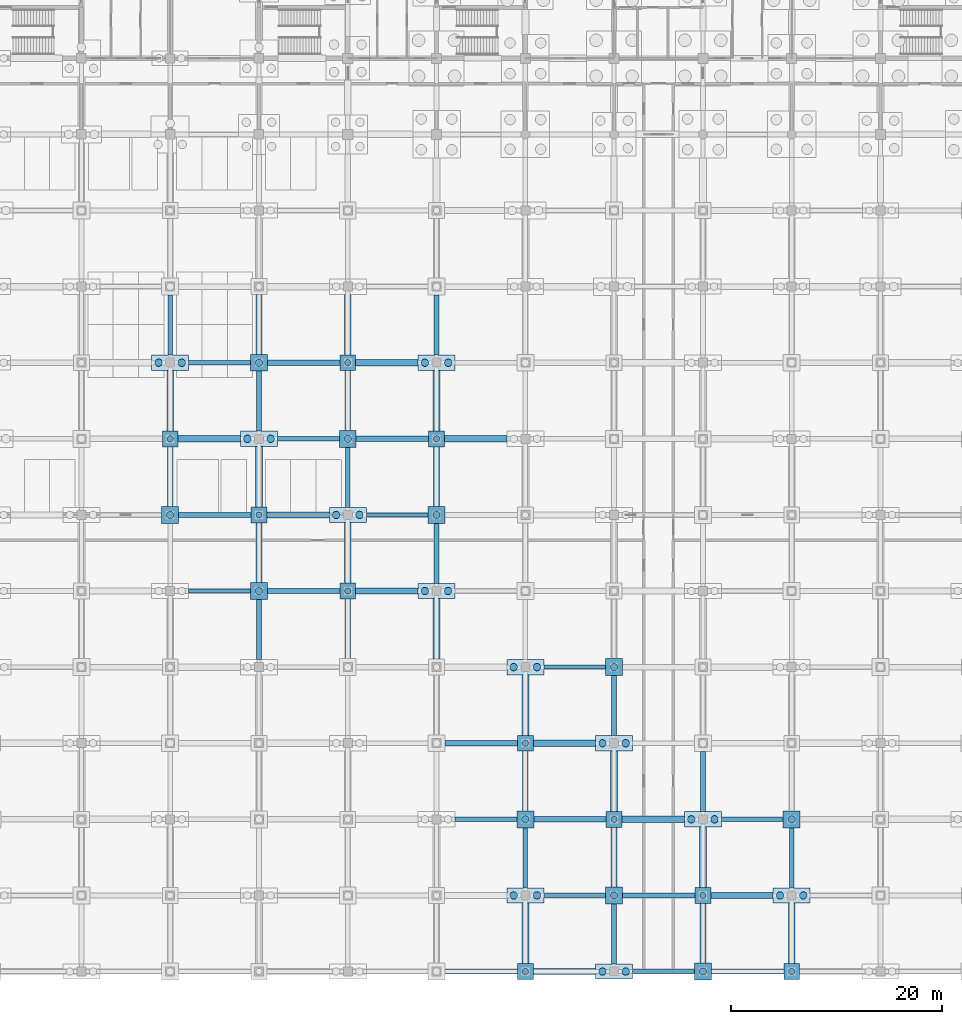
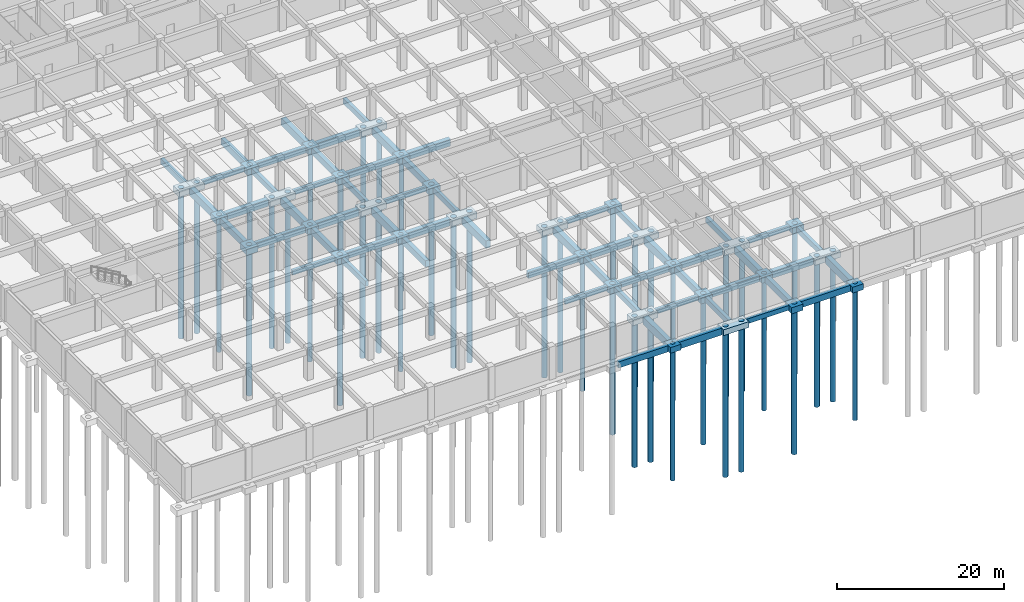
# One storey, part 3 of 85: 89 footings, 42 piles.
"""IFC4 building model written with IfcOpenShell, lengths in metres."""

from ifc_helpers import new_model, si_unit, direction, frame, origin, origin_2d, place, context, subcontext, project, spatial, rectangle, circle, extrude, material, material_profile, profile_set, type_object, element, save


model = new_model("IFC4")

# Units and contexts
model_context = context("Model", 3, precision=1e-05, world=origin(), true_north=direction((0.0, 1.0)))
body_context = subcontext(model_context, "Body", "Model", "MODEL_VIEW")
ifc_project = project(units=[si_unit("LENGTHUNIT", "METRE"), si_unit("AREAUNIT", "SQUARE_METRE"), si_unit("VOLUMEUNIT", "CUBIC_METRE"), si_unit("PLANEANGLEUNIT", "RADIAN"), si_unit("MASSUNIT", "GRAM", prefix="KILO")], contexts=[model_context])

# Site, building, storey
site_placement = place(None, origin())
site = spatial("IfcSite", under=ifc_project, at=site_placement, CompositionType="ELEMENT")
building_placement = place(site_placement, origin())
building = spatial("IfcBuilding", under=site, at=building_placement, Name="Chengyuan Square Courthouse", CompositionType="ELEMENT")
storey_placement = place(building_placement, frame((0.0, 0.0, -10.199951171875)))
storey = spatial("IfcBuildingStorey", under=building, at=storey_placement, Name="B02", CompositionType="ELEMENT", Elevation=-10.199951171875)

# Footings
ifc_material = material(Name="Concrete C40", Category="concrete")
ifc_material_profile_1 = material_profile(ifc_material, rectangle(XDim=0.39990234375, YDim=0.699951171875, at=origin_2d()), Name="GB-400x700")
ifc_profile_set_1 = profile_set([ifc_material_profile_1], Name="Concrete C40")
footing_type_1 = type_object("IfcFootingType", Name="GB-01", PredefinedType="FOOTING_BEAM", material=ifc_profile_set_1)
footing_1_placement = place(storey_placement, frame((77.35009765625, 0.0, -1.150146484375), z_axis=(1.0, 0.0, 0.0), x_axis=(0.0, 1.0, 0.0)))
element("IfcFooting", 1, at=footing_1_placement, inside=storey, type_object=footing_type_1, Name="Ground Tie Beam GB-B02-0010", PredefinedType="FOOTING_BEAM", context=body_context, shape_type="SweptSolid", body=[
    extrude(rectangle(XDim=0.39990234375, YDim=0.699951171875, at=origin_2d()), origin(), (0.0, 0.0, 1.0), 5.849853515625),
])
footing_2_placement = place(storey_placement, frame((68.949951171875, 7.199951171875, -1.150146484375), z_axis=(1.0, 0.0, 0.0), x_axis=(0.0, 1.0, 0.0)))
element("IfcFooting", 2, at=footing_2_placement, inside=storey, type_object=footing_type_1, Name="Ground Tie Beam GB-B02-0029", PredefinedType="FOOTING_BEAM", context=body_context, shape_type="SweptSolid", body=[
    extrude(rectangle(XDim=0.39990234375, YDim=0.699951171875, at=origin_2d()), origin(), (0.0, 0.0, 1.0), 5.85009765625),
])
footing_3_placement = place(storey_placement, frame((60.550048828125, 14.39990234375, -1.150146484375), z_axis=(1.0, 0.0, 0.0), x_axis=(0.0, 1.0, 0.0)))
element("IfcFooting", 3, at=footing_3_placement, inside=storey, type_object=footing_type_1, Name="Ground Tie Beam GB-B02-0048", PredefinedType="FOOTING_BEAM", context=body_context, shape_type="SweptSolid", body=[
    extrude(rectangle(XDim=0.39990234375, YDim=0.699951171875, at=origin_2d()), origin(), (0.0, 0.0, 1.0), 5.849853515625),
])
for number, where, z_axis, x_axis, name in (
    (4, (85.75, 14.39990234375, -1.150146484375), (1.0, 0.0, 0.0), (0.0, 1.0, 0.0), "Ground Tie Beam GB-B02-0051"),
    (5, (68.949951171875, 28.800048828125, -1.150146484375), (1.0, 0.0, 0.0), (0.0, 1.0, 0.0), "Ground Tie Beam GB-B02-0089"),
):
    element("IfcFooting", number, at=place(storey_placement, frame(where, z_axis=z_axis, x_axis=x_axis)), inside=storey, type_object=footing_type_1, Name=name, PredefinedType="FOOTING_BEAM", context=body_context, shape_type="SweptSolid", body=[
        extrude(rectangle(XDim=0.39990234375, YDim=0.699951171875, at=origin_2d()), origin(), (0.0, 0.0, 1.0), 5.85009765625),
    ])
footing_4_placement = place(storey_placement, frame((35.35009765625, 36.0, -1.150146484375), z_axis=(1.0, 0.0, 0.0), x_axis=(0.0, 1.0, 0.0)))
element("IfcFooting", 6, at=footing_4_placement, inside=storey, type_object=footing_type_1, Name="Ground Tie Beam GB-B02-0105", PredefinedType="FOOTING_BEAM", context=body_context, shape_type="SweptSolid", body=[
    extrude(rectangle(XDim=0.39990234375, YDim=0.699951171875, at=origin_2d()), origin(), (0.0, 0.0, 1.0), 5.849853515625),
])
for number, where, z_axis, x_axis, name in (
    (7, (52.14990234375, 43.199951171875, -1.150146484375), (1.0, 0.0, 0.0), (0.0, 1.0, 0.0), "Ground Tie Beam GB-B02-0127"),
    (8, (43.75, 50.39990234375, -1.150146484375), (1.0, 0.0, 0.0), (0.0, 1.0, 0.0), "Ground Tie Beam GB-B02-0146"),
):
    element("IfcFooting", number, at=place(storey_placement, frame(where, z_axis=z_axis, x_axis=x_axis)), inside=storey, type_object=footing_type_1, Name=name, PredefinedType="FOOTING_BEAM", context=body_context, shape_type="SweptSolid", body=[
        extrude(rectangle(XDim=0.39990234375, YDim=0.699951171875, at=origin_2d()), origin(), (0.0, 0.0, 1.0), 5.85009765625),
    ])
footing_5_placement = place(storey_placement, frame((35.35009765625, 57.60009765625, -1.150146484375), z_axis=(1.0, 0.0, 0.0), x_axis=(0.0, 1.0, 0.0)))
element("IfcFooting", 9, at=footing_5_placement, inside=storey, type_object=footing_type_1, Name="Ground Tie Beam GB-B02-0165", PredefinedType="FOOTING_BEAM", context=body_context, shape_type="SweptSolid", body=[
    extrude(rectangle(XDim=0.39990234375, YDim=0.699951171875, at=origin_2d()), origin(), (0.0, 0.0, 1.0), 5.849853515625),
])
ifc_material_profile_2 = material_profile(ifc_material, rectangle(XDim=0.449951171875, YDim=0.800048828125, at=origin_2d()), Name="GB-450x800")
ifc_profile_set_2 = profile_set([ifc_material_profile_2], Name="Concrete C40")
footing_type_2 = type_object("IfcFootingType", Name="GB-02", PredefinedType="FOOTING_BEAM", material=ifc_profile_set_2)
for number, where, z_axis, x_axis, name in (
    (10, (33.60009765625, 58.324951171875, -1.199951171875), (0.0, 1.0, 0.0), (-1.0, 0.0, 0.0), "Ground Tie Beam GB-B02-0419"),
    (11, (42.0, 29.52490234375, -1.199951171875), (0.0, 1.0, 0.0), (-1.0, 0.0, 0.0), "Ground Tie Beam GB-B02-0431"),
    (12, (42.0, 51.125, -1.199951171875), (0.0, 1.0, 0.0), (-1.0, 0.0, 0.0), "Ground Tie Beam GB-B02-0434"),
    (13, (50.39990234375, 43.925048828125, -1.199951171875), (0.0, 1.0, 0.0), (-1.0, 0.0, 0.0), "Ground Tie Beam GB-B02-0449"),
):
    element("IfcFooting", number, at=place(storey_placement, frame(where, z_axis=z_axis, x_axis=x_axis)), inside=storey, type_object=footing_type_2, Name=name, PredefinedType="FOOTING_BEAM", context=body_context, shape_type="SweptSolid", body=[
        extrude(rectangle(XDim=0.449951171875, YDim=0.800048828125, at=origin_2d()), origin(), (0.0, 0.0, 1.0), 5.675048828125),
    ])
footing_6_placement = place(storey_placement, frame((58.800048828125, 36.72509765625, -1.199951171875), z_axis=(0.0, 1.0, 0.0), x_axis=(-1.0, 0.0, 0.0)))
element("IfcFooting", 14, at=footing_6_placement, inside=storey, type_object=footing_type_2, Name="Ground Tie Beam GB-B02-0464", PredefinedType="FOOTING_BEAM", context=body_context, shape_type="SweptSolid", body=[
    extrude(rectangle(XDim=0.449951171875, YDim=0.800048828125, at=origin_2d()), origin(), (0.0, 0.0, 1.0), 5.6748046875),
])
for number, where, z_axis, x_axis, name in (
    (15, (58.800048828125, 58.324951171875, -1.199951171875), (0.0, 1.0, 0.0), (-1.0, 0.0, 0.0), "Ground Tie Beam GB-B02-0467"),
    (16, (67.199951171875, 7.925048828125, -1.199951171875), (0.0, 1.0, 0.0), (-1.0, 0.0, 0.0), "Ground Tie Beam GB-B02-0476"),
):
    element("IfcFooting", number, at=place(storey_placement, frame(where, z_axis=z_axis, x_axis=x_axis)), inside=storey, type_object=footing_type_2, Name=name, PredefinedType="FOOTING_BEAM", context=body_context, shape_type="SweptSolid", body=[
        extrude(rectangle(XDim=0.449951171875, YDim=0.800048828125, at=origin_2d()), origin(), (0.0, 0.0, 1.0), 5.675048828125),
    ])
footing_7_placement = place(storey_placement, frame((75.60009765625, 0.72509765625, -1.199951171875), z_axis=(0.0, 1.0, 0.0), x_axis=(-1.0, 0.0, 0.0)))
element("IfcFooting", 17, at=footing_7_placement, inside=storey, type_object=footing_type_2, Name="Ground Tie Beam GB-B02-0491", PredefinedType="FOOTING_BEAM", context=body_context, shape_type="SweptSolid", body=[
    extrude(rectangle(XDim=0.449951171875, YDim=0.800048828125, at=origin_2d()), origin(), (0.0, 0.0, 1.0), 5.6748046875),
])
for number, where, z_axis, x_axis, name in (
    (18, (75.60009765625, 22.324951171875, -1.199951171875), (0.0, 1.0, 0.0), (-1.0, 0.0, 0.0), "Ground Tie Beam GB-B02-0494"),
    (19, (84.0, 15.125, -1.199951171875), (0.0, 1.0, 0.0), (-1.0, 0.0, 0.0), "Ground Tie Beam GB-B02-0509"),
    (20, (92.39990234375, 7.925048828125, -1.199951171875), (0.0, 1.0, 0.0), (-1.0, 0.0, 0.0), "Ground Tie Beam GB-B02-0524"),
):
    element("IfcFooting", number, at=place(storey_placement, frame(where, z_axis=z_axis, x_axis=x_axis)), inside=storey, type_object=footing_type_2, Name=name, PredefinedType="FOOTING_BEAM", context=body_context, shape_type="SweptSolid", body=[
        extrude(rectangle(XDim=0.449951171875, YDim=0.800048828125, at=origin_2d()), origin(), (0.0, 0.0, 1.0), 5.675048828125),
    ])
ifc_material_profile_3 = material_profile(ifc_material, rectangle(XDim=0.5, YDim=0.89990234375, at=origin_2d()), Name="GB-500x900")
ifc_profile_set_3 = profile_set([ifc_material_profile_3], Name="Concrete C40")
footing_type_3 = type_object("IfcFootingType", Name="GB-03", PredefinedType="FOOTING_BEAM", material=ifc_profile_set_3)
for number, where, z_axis, x_axis, name in (
    (21, (59.60009765625, 0.0, -1.25), (1.0, 0.0, 0.0), (0.0, 1.0, 0.0), "Ground Tie Beam GB-B02-0008"),
    (22, (84.800048828125, 0.0, -1.25), (1.0, 0.0, 0.0), (0.0, 1.0, 0.0), "Ground Tie Beam GB-B02-0011"),
):
    element("IfcFooting", number, at=place(storey_placement, frame(where, z_axis=z_axis, x_axis=x_axis)), inside=storey, type_object=footing_type_3, Name=name, PredefinedType="FOOTING_BEAM", context=body_context, shape_type="SweptSolid", body=[
        extrude(rectangle(XDim=0.5, YDim=0.89990234375, at=origin_2d()), origin(), (0.0, 0.0, 1.0), 6.849853515625),
    ])
for number, where, z_axis, x_axis, name in (
    (23, (76.39990234375, 7.199951171875, -1.25), (1.0, 0.0, 0.0), (0.0, 1.0, 0.0), "Ground Tie Beam GB-B02-0030"),
    (24, (68.0, 14.39990234375, -1.25), (1.0, 0.0, 0.0), (0.0, 1.0, 0.0), "Ground Tie Beam GB-B02-0049"),
):
    element("IfcFooting", number, at=place(storey_placement, frame(where, z_axis=z_axis, x_axis=x_axis)), inside=storey, type_object=footing_type_3, Name=name, PredefinedType="FOOTING_BEAM", context=body_context, shape_type="SweptSolid", body=[
        extrude(rectangle(XDim=0.5, YDim=0.89990234375, at=origin_2d()), origin(), (0.0, 0.0, 1.0), 6.85009765625),
    ])
for number, where, z_axis, x_axis, name in (
    (25, (59.60009765625, 21.60009765625, -1.25), (1.0, 0.0, 0.0), (0.0, 1.0, 0.0), "Ground Tie Beam GB-B02-0068"),
    (26, (42.800048828125, 36.0, -1.25), (1.0, 0.0, 0.0), (0.0, 1.0, 0.0), "Ground Tie Beam GB-B02-0106"),
):
    element("IfcFooting", number, at=place(storey_placement, frame(where, z_axis=z_axis, x_axis=x_axis)), inside=storey, type_object=footing_type_3, Name=name, PredefinedType="FOOTING_BEAM", context=body_context, shape_type="SweptSolid", body=[
        extrude(rectangle(XDim=0.5, YDim=0.89990234375, at=origin_2d()), origin(), (0.0, 0.0, 1.0), 6.849853515625),
    ])
for number, where, z_axis, x_axis, name in (
    (27, (34.39990234375, 43.199951171875, -1.25), (1.0, 0.0, 0.0), (0.0, 1.0, 0.0), "Ground Tie Beam GB-B02-0125"),
    (28, (51.199951171875, 50.39990234375, -1.25), (1.0, 0.0, 0.0), (0.0, 1.0, 0.0), "Ground Tie Beam GB-B02-0147"),
):
    element("IfcFooting", number, at=place(storey_placement, frame(where, z_axis=z_axis, x_axis=x_axis)), inside=storey, type_object=footing_type_3, Name=name, PredefinedType="FOOTING_BEAM", context=body_context, shape_type="SweptSolid", body=[
        extrude(rectangle(XDim=0.5, YDim=0.89990234375, at=origin_2d()), origin(), (0.0, 0.0, 1.0), 6.85009765625),
    ])
footing_8_placement = place(storey_placement, frame((42.800048828125, 57.60009765625, -1.25), z_axis=(1.0, 0.0, 0.0), x_axis=(0.0, 1.0, 0.0)))
element("IfcFooting", 29, at=footing_8_placement, inside=storey, type_object=footing_type_3, Name="Ground Tie Beam GB-B02-0166", PredefinedType="FOOTING_BEAM", context=body_context, shape_type="SweptSolid", body=[
    extrude(rectangle(XDim=0.5, YDim=0.89990234375, at=origin_2d()), origin(), (0.0, 0.0, 1.0), 6.849853515625),
])
ifc_material_profile_4 = material_profile(ifc_material, rectangle(XDim=0.550048828125, YDim=0.949951171875, at=origin_2d()), Name="GB-550x950")
ifc_profile_set_4 = profile_set([ifc_material_profile_4], Name="Concrete C40")
footing_type_4 = type_object("IfcFootingType", Name="GB-04", PredefinedType="FOOTING_BEAM", material=ifc_profile_set_4)
for number, where, z_axis, x_axis, name in (
    (30, (33.60009765625, 44.0, -1.275146484375), (0.0, 1.0, 0.0), (-1.0, 0.0, 0.0), "Ground Tie Beam GB-B02-0417"),
    (31, (42.0, 36.800048828125, -1.275146484375), (0.0, 1.0, 0.0), (-1.0, 0.0, 0.0), "Ground Tie Beam GB-B02-0432"),
):
    element("IfcFooting", number, at=place(storey_placement, frame(where, z_axis=z_axis, x_axis=x_axis)), inside=storey, type_object=footing_type_4, Name=name, PredefinedType="FOOTING_BEAM", context=body_context, shape_type="SweptSolid", body=[
        extrude(rectangle(XDim=0.550048828125, YDim=0.949951171875, at=origin_2d()), origin(), (0.0, 0.0, 1.0), 5.64990234375),
    ])
footing_9_placement = place(storey_placement, frame((42.0, 58.39990234375, -1.275146484375), z_axis=(0.0, 1.0, 0.0), x_axis=(-1.0, 0.0, 0.0)))
element("IfcFooting", 32, at=footing_9_placement, inside=storey, type_object=footing_type_4, Name="Ground Tie Beam GB-B02-0435", PredefinedType="FOOTING_BEAM", context=body_context, shape_type="SweptSolid", body=[
    extrude(rectangle(XDim=0.550048828125, YDim=0.949951171875, at=origin_2d()), origin(), (0.0, 0.0, 1.0), 5.650146484375),
])
footing_10_placement = place(storey_placement, frame((50.39990234375, 29.60009765625, -1.275146484375), z_axis=(0.0, 1.0, 0.0), x_axis=(-1.0, 0.0, 0.0)))
element("IfcFooting", 33, at=footing_10_placement, inside=storey, type_object=footing_type_4, Name="Ground Tie Beam GB-B02-0447", PredefinedType="FOOTING_BEAM", context=body_context, shape_type="SweptSolid", body=[
    extrude(rectangle(XDim=0.550048828125, YDim=0.949951171875, at=origin_2d()), origin(), (0.0, 0.0, 1.0), 5.64990234375),
])
footing_11_placement = place(storey_placement, frame((50.39990234375, 51.199951171875, -1.275146484375), z_axis=(0.0, 1.0, 0.0), x_axis=(-1.0, 0.0, 0.0)))
element("IfcFooting", 34, at=footing_11_placement, inside=storey, type_object=footing_type_4, Name="Ground Tie Beam GB-B02-0450", PredefinedType="FOOTING_BEAM", context=body_context, shape_type="SweptSolid", body=[
    extrude(rectangle(XDim=0.550048828125, YDim=0.949951171875, at=origin_2d()), origin(), (0.0, 0.0, 1.0), 5.650146484375),
])
footing_12_placement = place(storey_placement, frame((58.800048828125, 44.0, -1.275146484375), z_axis=(0.0, 1.0, 0.0), x_axis=(-1.0, 0.0, 0.0)))
element("IfcFooting", 35, at=footing_12_placement, inside=storey, type_object=footing_type_4, Name="Ground Tie Beam GB-B02-0465", PredefinedType="FOOTING_BEAM", context=body_context, shape_type="SweptSolid", body=[
    extrude(rectangle(XDim=0.550048828125, YDim=0.949951171875, at=origin_2d()), origin(), (0.0, 0.0, 1.0), 5.64990234375),
])
footing_13_placement = place(storey_placement, frame((67.199951171875, 15.199951171875, -1.275146484375), z_axis=(0.0, 1.0, 0.0), x_axis=(-1.0, 0.0, 0.0)))
element("IfcFooting", 36, at=footing_13_placement, inside=storey, type_object=footing_type_4, Name="Ground Tie Beam GB-B02-0477", PredefinedType="FOOTING_BEAM", context=body_context, shape_type="SweptSolid", body=[
    extrude(rectangle(XDim=0.550048828125, YDim=0.949951171875, at=origin_2d()), origin(), (0.0, 0.0, 1.0), 5.650146484375),
])
for number, where, z_axis, x_axis, name in (
    (37, (75.60009765625, 8.0, -1.275146484375), (0.0, 1.0, 0.0), (-1.0, 0.0, 0.0), "Ground Tie Beam GB-B02-0492"),
    (38, (84.0, 0.800048828125, -1.275146484375), (0.0, 1.0, 0.0), (-1.0, 0.0, 0.0), "Ground Tie Beam GB-B02-0507"),
):
    element("IfcFooting", number, at=place(storey_placement, frame(where, z_axis=z_axis, x_axis=x_axis)), inside=storey, type_object=footing_type_4, Name=name, PredefinedType="FOOTING_BEAM", context=body_context, shape_type="SweptSolid", body=[
        extrude(rectangle(XDim=0.550048828125, YDim=0.949951171875, at=origin_2d()), origin(), (0.0, 0.0, 1.0), 5.64990234375),
    ])
ifc_material_profile_5 = material_profile(ifc_material, rectangle(XDim=0.60009765625, YDim=1.0, at=origin_2d()), Name="GB-600x1000")
ifc_profile_set_5 = profile_set([ifc_material_profile_5], Name="Concrete C40")
footing_type_5 = type_object("IfcFootingType", Name="GB-05", PredefinedType="FOOTING_BEAM", material=ifc_profile_set_5)
footing_14_placement = place(storey_placement, frame((67.949951171875, 0.0, -1.300048828125), z_axis=(1.0, 0.0, 0.0), x_axis=(0.0, 1.0, 0.0)))
element("IfcFooting", 39, at=footing_14_placement, inside=storey, type_object=footing_type_5, Name="Ground Tie Beam GB-B02-0009", PredefinedType="FOOTING_BEAM", context=body_context, shape_type="SweptSolid", body=[
    extrude(rectangle(XDim=0.60009765625, YDim=1.0, at=origin_2d()), origin(), (0.0, 0.0, 1.0), 5.900146484375),
])
for number, where, z_axis, x_axis, name in (
    (40, (84.75, 7.199951171875, -1.300048828125), (1.0, 0.0, 0.0), (0.0, 1.0, 0.0), "Ground Tie Beam GB-B02-0031"),
    (41, (76.35009765625, 14.39990234375, -1.300048828125), (1.0, 0.0, 0.0), (0.0, 1.0, 0.0), "Ground Tie Beam GB-B02-0050"),
):
    element("IfcFooting", number, at=place(storey_placement, frame(where, z_axis=z_axis, x_axis=x_axis)), inside=storey, type_object=footing_type_5, Name=name, PredefinedType="FOOTING_BEAM", context=body_context, shape_type="SweptSolid", body=[
        extrude(rectangle(XDim=0.60009765625, YDim=1.0, at=origin_2d()), origin(), (0.0, 0.0, 1.0), 5.89990234375),
    ])
for number, where, z_axis, x_axis, name in (
    (42, (67.949951171875, 21.60009765625, -1.300048828125), (1.0, 0.0, 0.0), (0.0, 1.0, 0.0), "Ground Tie Beam GB-B02-0069"),
    (43, (51.14990234375, 36.0, -1.300048828125), (1.0, 0.0, 0.0), (0.0, 1.0, 0.0), "Ground Tie Beam GB-B02-0107"),
):
    element("IfcFooting", number, at=place(storey_placement, frame(where, z_axis=z_axis, x_axis=x_axis)), inside=storey, type_object=footing_type_5, Name=name, PredefinedType="FOOTING_BEAM", context=body_context, shape_type="SweptSolid", body=[
        extrude(rectangle(XDim=0.60009765625, YDim=1.0, at=origin_2d()), origin(), (0.0, 0.0, 1.0), 5.900146484375),
    ])
for number, where, z_axis, x_axis, name in (
    (44, (42.75, 43.199951171875, -1.300048828125), (1.0, 0.0, 0.0), (0.0, 1.0, 0.0), "Ground Tie Beam GB-B02-0126"),
    (45, (34.35009765625, 50.39990234375, -1.300048828125), (1.0, 0.0, 0.0), (0.0, 1.0, 0.0), "Ground Tie Beam GB-B02-0145"),
    (46, (59.550048828125, 50.39990234375, -1.300048828125), (1.0, 0.0, 0.0), (0.0, 1.0, 0.0), "Ground Tie Beam GB-B02-0148"),
):
    element("IfcFooting", number, at=place(storey_placement, frame(where, z_axis=z_axis, x_axis=x_axis)), inside=storey, type_object=footing_type_5, Name=name, PredefinedType="FOOTING_BEAM", context=body_context, shape_type="SweptSolid", body=[
        extrude(rectangle(XDim=0.60009765625, YDim=1.0, at=origin_2d()), origin(), (0.0, 0.0, 1.0), 5.89990234375),
    ])
footing_15_placement = place(storey_placement, frame((51.14990234375, 57.60009765625, -1.300048828125), z_axis=(1.0, 0.0, 0.0), x_axis=(0.0, 1.0, 0.0)))
element("IfcFooting", 47, at=footing_15_placement, inside=storey, type_object=footing_type_5, Name="Ground Tie Beam GB-B02-0167", PredefinedType="FOOTING_BEAM", context=body_context, shape_type="SweptSolid", body=[
    extrude(rectangle(XDim=0.60009765625, YDim=1.0, at=origin_2d()), origin(), (0.0, 0.0, 1.0), 5.900146484375),
])
ifc_material_profile_6 = material_profile(ifc_material, rectangle(XDim=0.64990234375, YDim=1.10009765625, at=origin_2d()), Name="GB-650x1100")
ifc_profile_set_6 = profile_set([ifc_material_profile_6], Name="Concrete C40")
footing_type_6 = type_object("IfcFootingType", Name="GB-06", PredefinedType="FOOTING_BEAM", material=ifc_profile_set_6)
for number, where, z_axis, x_axis, name in (
    (48, (33.60009765625, 51.14990234375, -1.35009765625), (0.0, 1.0, 0.0), (-1.0, 0.0, 0.0), "Ground Tie Beam GB-B02-0418"),
    (49, (42.0, 43.949951171875, -1.35009765625), (0.0, 1.0, 0.0), (-1.0, 0.0, 0.0), "Ground Tie Beam GB-B02-0433"),
    (50, (50.39990234375, 36.75, -1.35009765625), (0.0, 1.0, 0.0), (-1.0, 0.0, 0.0), "Ground Tie Beam GB-B02-0448"),
):
    element("IfcFooting", number, at=place(storey_placement, frame(where, z_axis=z_axis, x_axis=x_axis)), inside=storey, type_object=footing_type_6, Name=name, PredefinedType="FOOTING_BEAM", context=body_context, shape_type="SweptSolid", body=[
        extrude(rectangle(XDim=0.64990234375, YDim=1.10009765625, at=origin_2d()), origin(), (0.0, 0.0, 1.0), 5.72509765625),
    ])
for number, where, z_axis, x_axis, name in (
    (51, (50.39990234375, 58.35009765625, -1.35009765625), (0.0, 1.0, 0.0), (-1.0, 0.0, 0.0), "Ground Tie Beam GB-B02-0451"),
    (52, (58.800048828125, 29.550048828125, -1.35009765625), (0.0, 1.0, 0.0), (-1.0, 0.0, 0.0), "Ground Tie Beam GB-B02-0463"),
):
    element("IfcFooting", number, at=place(storey_placement, frame(where, z_axis=z_axis, x_axis=x_axis)), inside=storey, type_object=footing_type_6, Name=name, PredefinedType="FOOTING_BEAM", context=body_context, shape_type="SweptSolid", body=[
        extrude(rectangle(XDim=0.64990234375, YDim=1.10009765625, at=origin_2d()), origin(), (0.0, 0.0, 1.0), 5.724853515625),
    ])
for number, where, z_axis, x_axis, name in (
    (53, (58.800048828125, 51.14990234375, -1.35009765625), (0.0, 1.0, 0.0), (-1.0, 0.0, 0.0), "Ground Tie Beam GB-B02-0466"),
    (54, (67.199951171875, 0.75, -1.35009765625), (0.0, 1.0, 0.0), (-1.0, 0.0, 0.0), "Ground Tie Beam GB-B02-0475"),
):
    element("IfcFooting", number, at=place(storey_placement, frame(where, z_axis=z_axis, x_axis=x_axis)), inside=storey, type_object=footing_type_6, Name=name, PredefinedType="FOOTING_BEAM", context=body_context, shape_type="SweptSolid", body=[
        extrude(rectangle(XDim=0.64990234375, YDim=1.10009765625, at=origin_2d()), origin(), (0.0, 0.0, 1.0), 5.72509765625),
    ])
footing_16_placement = place(storey_placement, frame((67.199951171875, 22.35009765625, -1.35009765625), z_axis=(0.0, 1.0, 0.0), x_axis=(-1.0, 0.0, 0.0)))
element("IfcFooting", 55, at=footing_16_placement, inside=storey, type_object=footing_type_6, Name="Ground Tie Beam GB-B02-0478", PredefinedType="FOOTING_BEAM", context=body_context, shape_type="SweptSolid", body=[
    extrude(rectangle(XDim=0.64990234375, YDim=1.10009765625, at=origin_2d()), origin(), (0.0, 0.0, 1.0), 5.724853515625),
])
for number, where, z_axis, x_axis, name in (
    (56, (75.60009765625, 15.14990234375, -1.35009765625), (0.0, 1.0, 0.0), (-1.0, 0.0, 0.0), "Ground Tie Beam GB-B02-0493"),
    (57, (84.0, 7.949951171875, -1.35009765625), (0.0, 1.0, 0.0), (-1.0, 0.0, 0.0), "Ground Tie Beam GB-B02-0508"),
    (58, (92.39990234375, 0.75, -1.35009765625), (0.0, 1.0, 0.0), (-1.0, 0.0, 0.0), "Ground Tie Beam GB-B02-0523"),
):
    element("IfcFooting", number, at=place(storey_placement, frame(where, z_axis=z_axis, x_axis=x_axis)), inside=storey, type_object=footing_type_6, Name=name, PredefinedType="FOOTING_BEAM", context=body_context, shape_type="SweptSolid", body=[
        extrude(rectangle(XDim=0.64990234375, YDim=1.10009765625, at=origin_2d()), origin(), (0.0, 0.0, 1.0), 5.72509765625),
    ])
footing_type_7 = type_object("IfcFootingType", Name="PC-19", PredefinedType="PILE_CAP", material=ifc_material)
for number, where, z_axis, x_axis, name in (
    (59, (33.60009765625, 57.60009765625, -1.650146484375), (0.0, 0.0, 1.0), (1.0, 0.0, 0.0), "Pile Cap PC-B02-077"),
    (60, (42.0, 50.39990234375, -1.650146484375), (0.0, 0.0, 1.0), (1.0, 0.0, 0.0), "Pile Cap PC-B02-093"),
    (61, (50.39990234375, 43.199951171875, -1.650146484375), (0.0, 0.0, 1.0), (1.0, 0.0, 0.0), "Pile Cap PC-B02-109"),
    (62, (58.800048828125, 36.0, -1.650146484375), (0.0, 0.0, 1.0), (1.0, 0.0, 0.0), "Pile Cap PC-B02-125"),
    (63, (58.800048828125, 57.60009765625, -1.650146484375), (0.0, 0.0, 1.0), (1.0, 0.0, 0.0), "Pile Cap PC-B02-128"),
    (64, (67.199951171875, 7.199951171875, -1.650146484375), (0.0, 0.0, 1.0), (1.0, 0.0, 0.0), "Pile Cap PC-B02-138"),
    (65, (67.199951171875, 28.800048828125, -1.650146484375), (0.0, 0.0, 1.0), (1.0, 0.0, 0.0), "Pile Cap PC-B02-141"),
    (66, (75.60009765625, 0.0, -1.650146484375), (0.0, 0.0, 1.0), (1.0, 0.0, 0.0), "Pile Cap PC-B02-154"),
    (67, (75.60009765625, 21.60009765625, -1.650146484375), (0.0, 0.0, 1.0), (1.0, 0.0, 0.0), "Pile Cap PC-B02-157"),
    (68, (84.0, 14.39990234375, -1.650146484375), (0.0, 0.0, 1.0), (1.0, 0.0, 0.0), "Pile Cap PC-B02-173"),
    (69, (92.39990234375, 7.199951171875, -1.650146484375), (0.0, 0.0, 1.0), (1.0, 0.0, 0.0), "Pile Cap PC-B02-189"),
):
    element("IfcFooting", number, at=place(storey_placement, frame(where, z_axis=z_axis, x_axis=x_axis)), inside=storey, type_object=footing_type_7, Name=name, PredefinedType="PILE_CAP", context=body_context, shape_type="SweptSolid", body=[
        extrude(rectangle(XDim=3.5, YDim=1.449951171875, at=origin_2d()), origin(), (0.0, 0.0, 1.0), 0.85009765625),
    ])
footing_type_8 = type_object("IfcFootingType", Name="PC-20", PredefinedType="PILE_CAP", material=ifc_material)
for number, where, z_axis, x_axis, name in (
    (70, (33.60009765625, 43.199951171875, -1.699951171875), (0.0, 0.0, 1.0), (1.0, 0.0, 0.0), "Pile Cap PC-B02-075"),
    (71, (42.0, 36.0, -1.699951171875), (0.0, 0.0, 1.0), (1.0, 0.0, 0.0), "Pile Cap PC-B02-091"),
    (72, (42.0, 57.60009765625, -1.699951171875), (0.0, 0.0, 1.0), (1.0, 0.0, 0.0), "Pile Cap PC-B02-094"),
    (73, (50.39990234375, 50.39990234375, -1.699951171875), (0.0, 0.0, 1.0), (1.0, 0.0, 0.0), "Pile Cap PC-B02-110"),
    (74, (58.800048828125, 43.199951171875, -1.699951171875), (0.0, 0.0, 1.0), (1.0, 0.0, 0.0), "Pile Cap PC-B02-126"),
    (75, (67.199951171875, 14.39990234375, -1.699951171875), (0.0, 0.0, 1.0), (1.0, 0.0, 0.0), "Pile Cap PC-B02-139"),
    (76, (75.60009765625, 7.199951171875, -1.699951171875), (0.0, 0.0, 1.0), (1.0, 0.0, 0.0), "Pile Cap PC-B02-155"),
    (77, (75.60009765625, 28.800048828125, -1.699951171875), (0.0, 0.0, 1.0), (1.0, 0.0, 0.0), "Pile Cap PC-B02-158"),
    (78, (84.0, 0.0, -1.699951171875), (0.0, 0.0, 1.0), (1.0, 0.0, 0.0), "Pile Cap PC-B02-171"),
    (79, (92.39990234375, 14.39990234375, -1.699951171875), (0.0, 0.0, 1.0), (1.0, 0.0, 0.0), "Pile Cap PC-B02-190"),
):
    element("IfcFooting", number, at=place(storey_placement, frame(where, z_axis=z_axis, x_axis=x_axis)), inside=storey, type_object=footing_type_8, Name=name, PredefinedType="PILE_CAP", context=body_context, shape_type="SweptSolid", body=[
        extrude(rectangle(XDim=1.60009765625, YDim=1.60009765625, at=origin_2d()), origin(), (0.0, 0.0, 1.0), 0.89990234375),
    ])
footing_type_9 = type_object("IfcFootingType", Name="PC-21", PredefinedType="PILE_CAP", material=ifc_material)
for number, where, z_axis, x_axis, name in (
    (80, (33.60009765625, 50.39990234375, -1.650146484375), (0.0, 0.0, 1.0), (1.0, 0.0, 0.0), "Pile Cap PC-B02-076"),
    (81, (42.0, 43.199951171875, -1.650146484375), (0.0, 0.0, 1.0), (1.0, 0.0, 0.0), "Pile Cap PC-B02-092"),
    (82, (50.39990234375, 36.0, -1.650146484375), (0.0, 0.0, 1.0), (1.0, 0.0, 0.0), "Pile Cap PC-B02-108"),
    (83, (50.39990234375, 57.60009765625, -1.650146484375), (0.0, 0.0, 1.0), (1.0, 0.0, 0.0), "Pile Cap PC-B02-111"),
    (84, (58.800048828125, 50.39990234375, -1.650146484375), (0.0, 0.0, 1.0), (1.0, 0.0, 0.0), "Pile Cap PC-B02-127"),
    (85, (67.199951171875, 0.0, -1.650146484375), (0.0, 0.0, 1.0), (1.0, 0.0, 0.0), "Pile Cap PC-B02-137"),
    (86, (67.199951171875, 21.60009765625, -1.650146484375), (0.0, 0.0, 1.0), (1.0, 0.0, 0.0), "Pile Cap PC-B02-140"),
    (87, (75.60009765625, 14.39990234375, -1.650146484375), (0.0, 0.0, 1.0), (1.0, 0.0, 0.0), "Pile Cap PC-B02-156"),
    (88, (84.0, 7.199951171875, -1.650146484375), (0.0, 0.0, 1.0), (1.0, 0.0, 0.0), "Pile Cap PC-B02-172"),
    (89, (92.39990234375, 0.0, -1.650146484375), (0.0, 0.0, 1.0), (1.0, 0.0, 0.0), "Pile Cap PC-B02-188"),
):
    element("IfcFooting", number, at=place(storey_placement, frame(where, z_axis=z_axis, x_axis=x_axis)), inside=storey, type_object=footing_type_9, Name=name, PredefinedType="PILE_CAP", context=body_context, shape_type="SweptSolid", body=[
        extrude(rectangle(XDim=1.5, YDim=1.5, at=origin_2d()), origin(), (0.0, 0.0, 1.0), 0.85009765625),
    ])

# Piles
ifc_material_profile_7 = material_profile(ifc_material, circle(Radius=0.300048828125, at=origin_2d()), Name="BORED PILE D600")
ifc_profile_set_7 = profile_set([ifc_material_profile_7], Name="Concrete C40")
pile_type_1 = type_object("IfcPileType", Name="PL-01", PredefinedType="BORED", material=ifc_profile_set_7)
for number, where, z_axis, x_axis, name in (
    (90, (33.60009765625, 50.39990234375, -0.800048828125), (0.0, 0.0, -1.0), (1.0, 0.0, 0.0), "Bored Pile PL-B02-0124"),
    (91, (42.0, 43.199951171875, -0.800048828125), (0.0, 0.0, -1.0), (1.0, 0.0, 0.0), "Bored Pile PL-B02-0150"),
    (92, (50.39990234375, 36.0, -0.800048828125), (0.0, 0.0, -1.0), (1.0, 0.0, 0.0), "Bored Pile PL-B02-0184"),
    (93, (50.39990234375, 57.60009765625, -0.800048828125), (0.0, 0.0, -1.0), (1.0, 0.0, 0.0), "Bored Pile PL-B02-0188"),
    (94, (58.800048828125, 50.39990234375, -0.800048828125), (0.0, 0.0, -1.0), (1.0, 0.0, 0.0), "Bored Pile PL-B02-0225"),
    (95, (67.199951171875, 0.0, -0.800048828125), (0.0, 0.0, -1.0), (1.0, 0.0, 0.0), "Bored Pile PL-B02-0253"),
    (96, (67.199951171875, 21.60009765625, -0.800048828125), (0.0, 0.0, -1.0), (1.0, 0.0, 0.0), "Bored Pile PL-B02-0257"),
    (97, (75.60009765625, 14.39990234375, -0.800048828125), (0.0, 0.0, -1.0), (1.0, 0.0, 0.0), "Bored Pile PL-B02-0296"),
    (98, (84.0, 7.199951171875, -0.800048828125), (0.0, 0.0, -1.0), (1.0, 0.0, 0.0), "Bored Pile PL-B02-0333"),
    (99, (92.39990234375, 0.0, -0.800048828125), (0.0, 0.0, -1.0), (1.0, 0.0, 0.0), "Bored Pile PL-B02-0370"),
):
    element("IfcPile", number, at=place(storey_placement, frame(where, z_axis=z_axis, x_axis=x_axis)), inside=storey, type_object=pile_type_1, Name=name, PredefinedType="BORED", context=body_context, shape_type="SweptSolid", body=[
        extrude(circle(Radius=0.300048828125, at=origin_2d()), origin(), (0.0, 0.0, 1.0), 20.0),
    ])
ifc_material_profile_8 = material_profile(ifc_material, circle(Radius=0.35009765625, at=origin_2d()), Name="BORED PILE D700")
ifc_profile_set_8 = profile_set([ifc_material_profile_8], Name="Concrete C40")
pile_type_2 = type_object("IfcPileType", Name="PL-02", PredefinedType="BORED", material=ifc_profile_set_8)
for number, where, z_axis, x_axis, name in (
    (100, (33.60009765625, 43.199951171875, -0.800048828125), (0.0, 0.0, -1.0), (1.0, 0.0, 0.0), "Bored Pile PL-B02-0123"),
    (101, (32.5, 57.60009765625, -0.800048828125), (0.0, 0.0, -1.0), (1.0, 0.0, 0.0), "Bored Pile PL-B02-0125"),
    (102, (34.699951171875, 57.60009765625, -0.800048828125), (0.0, 0.0, -1.0), (1.0, 0.0, 0.0), "Bored Pile PL-B02-0126"),
    (103, (42.0, 36.0, -0.800048828125), (0.0, 0.0, -1.0), (1.0, 0.0, 0.0), "Bored Pile PL-B02-0149"),
    (104, (40.89990234375, 50.39990234375, -0.800048828125), (0.0, 0.0, -1.0), (1.0, 0.0, 0.0), "Bored Pile PL-B02-0151"),
    (105, (43.10009765625, 50.39990234375, -0.800048828125), (0.0, 0.0, -1.0), (1.0, 0.0, 0.0), "Bored Pile PL-B02-0152"),
    (106, (42.0, 57.60009765625, -0.800048828125), (0.0, 0.0, -1.0), (1.0, 0.0, 0.0), "Bored Pile PL-B02-0153"),
    (107, (49.300048828125, 43.199951171875, -0.800048828125), (0.0, 0.0, -1.0), (1.0, 0.0, 0.0), "Bored Pile PL-B02-0185"),
    (108, (51.5, 43.199951171875, -0.800048828125), (0.0, 0.0, -1.0), (1.0, 0.0, 0.0), "Bored Pile PL-B02-0186"),
    (109, (50.39990234375, 50.39990234375, -0.800048828125), (0.0, 0.0, -1.0), (1.0, 0.0, 0.0), "Bored Pile PL-B02-0187"),
    (110, (57.699951171875, 36.0, -0.800048828125), (0.0, 0.0, -1.0), (1.0, 0.0, 0.0), "Bored Pile PL-B02-0222"),
    (111, (59.89990234375, 36.0, -0.800048828125), (0.0, 0.0, -1.0), (1.0, 0.0, 0.0), "Bored Pile PL-B02-0223"),
    (112, (58.800048828125, 43.199951171875, -0.800048828125), (0.0, 0.0, -1.0), (1.0, 0.0, 0.0), "Bored Pile PL-B02-0224"),
    (113, (57.699951171875, 57.60009765625, -0.800048828125), (0.0, 0.0, -1.0), (1.0, 0.0, 0.0), "Bored Pile PL-B02-0226"),
    (114, (59.89990234375, 57.60009765625, -0.800048828125), (0.0, 0.0, -1.0), (1.0, 0.0, 0.0), "Bored Pile PL-B02-0227"),
    (115, (66.10009765625, 7.199951171875, -0.800048828125), (0.0, 0.0, -1.0), (1.0, 0.0, 0.0), "Bored Pile PL-B02-0254"),
    (116, (68.300048828125, 7.199951171875, -0.800048828125), (0.0, 0.0, -1.0), (1.0, 0.0, 0.0), "Bored Pile PL-B02-0255"),
    (117, (67.199951171875, 14.39990234375, -0.800048828125), (0.0, 0.0, -1.0), (1.0, 0.0, 0.0), "Bored Pile PL-B02-0256"),
    (118, (66.10009765625, 28.800048828125, -0.800048828125), (0.0, 0.0, -1.0), (1.0, 0.0, 0.0), "Bored Pile PL-B02-0258"),
    (119, (68.300048828125, 28.800048828125, -0.800048828125), (0.0, 0.0, -1.0), (1.0, 0.0, 0.0), "Bored Pile PL-B02-0259"),
    (120, (74.5, 0.0, -0.800048828125), (0.0, 0.0, -1.0), (1.0, 0.0, 0.0), "Bored Pile PL-B02-0293"),
    (121, (76.699951171875, 0.0, -0.800048828125), (0.0, 0.0, -1.0), (1.0, 0.0, 0.0), "Bored Pile PL-B02-0294"),
    (122, (75.60009765625, 7.199951171875, -0.800048828125), (0.0, 0.0, -1.0), (1.0, 0.0, 0.0), "Bored Pile PL-B02-0295"),
    (123, (74.5, 21.60009765625, -0.800048828125), (0.0, 0.0, -1.0), (1.0, 0.0, 0.0), "Bored Pile PL-B02-0297"),
    (124, (76.699951171875, 21.60009765625, -0.800048828125), (0.0, 0.0, -1.0), (1.0, 0.0, 0.0), "Bored Pile PL-B02-0298"),
    (125, (75.60009765625, 28.800048828125, -0.800048828125), (0.0, 0.0, -1.0), (1.0, 0.0, 0.0), "Bored Pile PL-B02-0299"),
    (126, (84.0, 0.0, -0.800048828125), (0.0, 0.0, -1.0), (1.0, 0.0, 0.0), "Bored Pile PL-B02-0332"),
    (127, (82.89990234375, 14.39990234375, -0.800048828125), (0.0, 0.0, -1.0), (1.0, 0.0, 0.0), "Bored Pile PL-B02-0334"),
    (128, (85.10009765625, 14.39990234375, -0.800048828125), (0.0, 0.0, -1.0), (1.0, 0.0, 0.0), "Bored Pile PL-B02-0335"),
    (129, (91.300048828125, 7.199951171875, -0.800048828125), (0.0, 0.0, -1.0), (1.0, 0.0, 0.0), "Bored Pile PL-B02-0371"),
    (130, (93.5, 7.199951171875, -0.800048828125), (0.0, 0.0, -1.0), (1.0, 0.0, 0.0), "Bored Pile PL-B02-0372"),
    (131, (92.39990234375, 14.39990234375, -0.800048828125), (0.0, 0.0, -1.0), (1.0, 0.0, 0.0), "Bored Pile PL-B02-0373"),
):
    element("IfcPile", number, at=place(storey_placement, frame(where, z_axis=z_axis, x_axis=x_axis)), inside=storey, type_object=pile_type_2, Name=name, PredefinedType="BORED", context=body_context, shape_type="SweptSolid", body=[
        extrude(circle(Radius=0.35009765625, at=origin_2d()), origin(), (0.0, 0.0, 1.0), 22.0),
    ])

save(model, "model.ifc")
